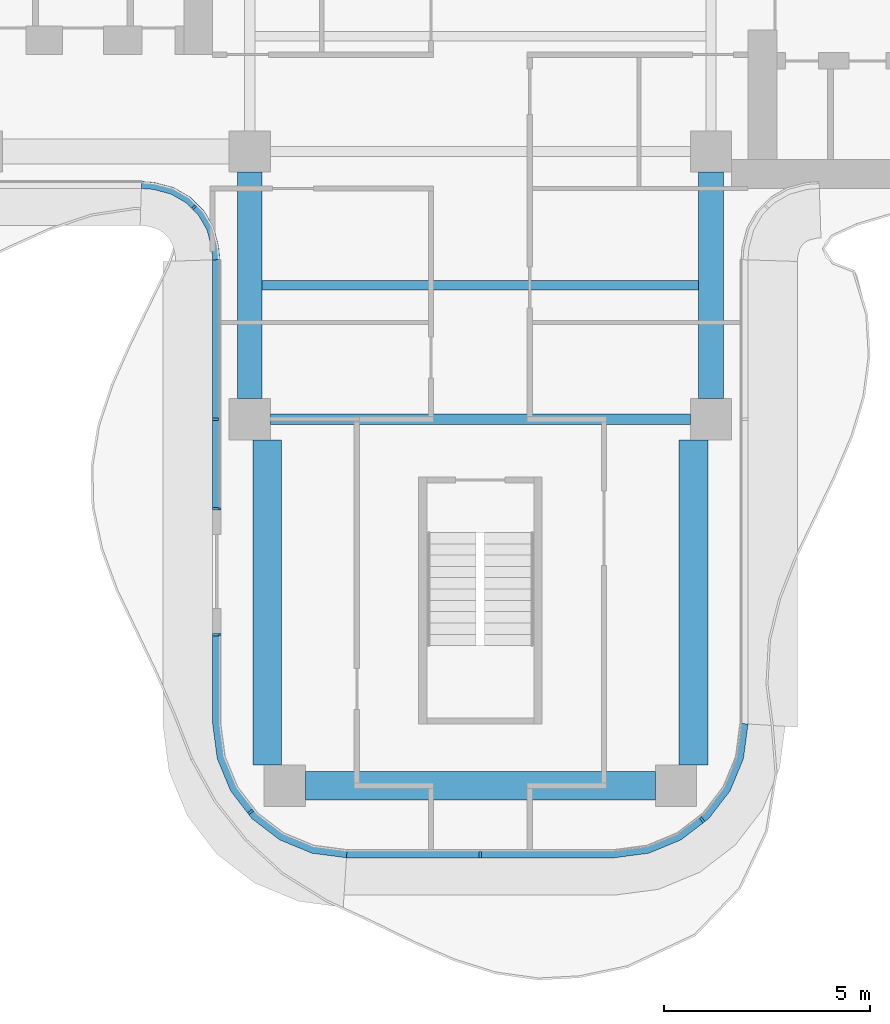
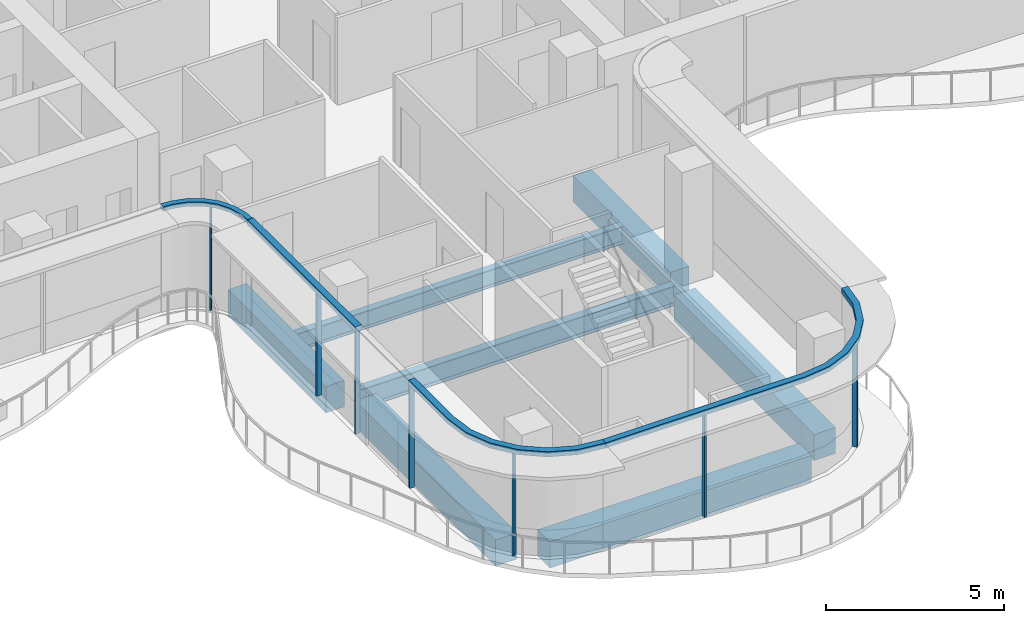
# One storey, part 2 of 16: 11 members, 7 beams, 4 elements without a shape of their own.
"""IFC4 building model written with IfcOpenShell, lengths in metres."""

from ifc_helpers import new_model, si_unit, direction, frame, origin, origin_2d, place, context, subcontext, project, spatial, polyline, rectangle, i_section, outline, extrude, source, transform, mapped, material, layer, layer_set, material_profile, profile_set, type_object, element, aggregate, save


model = new_model("IFC4")

# Units and contexts
model_context = context("Model", 3, precision=1e-05, world=origin(), true_north=direction((0.0, 1.0)))
body_context = subcontext(model_context, "Body", "Model", "MODEL_VIEW")
ifc_project = project(units=[si_unit("LENGTHUNIT", "METRE"), si_unit("AREAUNIT", "SQUARE_METRE"), si_unit("VOLUMEUNIT", "CUBIC_METRE"), si_unit("PLANEANGLEUNIT", "RADIAN"), si_unit("MASSUNIT", "GRAM", prefix="KILO")], contexts=[model_context])

# Site, building, storey
site_placement = place(None, origin())
site = spatial("IfcSite", under=ifc_project, at=site_placement, CompositionType="ELEMENT")
building_placement = place(site_placement, origin())
building = spatial("IfcBuilding", under=site, at=building_placement, Name="Trellis Farm Tower", CompositionType="ELEMENT")
storey_placement = place(building_placement, frame((0.0, 0.0, 310.60009765625)))
storey = spatial("IfcBuildingStorey", under=building, at=storey_placement, Name="L70", CompositionType="ELEMENT", Elevation=310.60009765625)

# Beams
ifc_material_1 = material(Name="Steel S355", Category="steel")
ifc_material_profile_1 = material_profile(ifc_material_1, i_section(OverallWidth=0.22900390625, OverallDepth=0.6123046875, WebThickness=0.011962890625, FlangeThickness=0.01953125, FilletRadius=0.0126953125, at=origin_2d()), Name="UB 610x229x125")
ifc_profile_set_1 = profile_set([ifc_material_profile_1], Name="Steel S355")
beam_type_1 = type_object("IfcBeamType", Name="UB 610x229x125 joist", PredefinedType="JOIST", material=ifc_profile_set_1)
shared_shape_1 = source(origin(), body_context, "Body", "SweptSolid", [
    extrude(i_section(OverallWidth=0.22900390625, OverallDepth=0.6123046875, WebThickness=0.011962890625, FlangeThickness=0.01953125, FilletRadius=0.0126953125, at=origin_2d()), origin(), (0.0, 0.0, 1.0), 10.60009765625),
])
beam_1_placement = place(storey_placement, frame((-5.300048828125, -8.85009765625, -0.506103515625), z_axis=(1.0, 0.0, 0.0), x_axis=(0.0, 1.0, 0.0)))
element("IfcBeam", 1, at=beam_1_placement, inside=storey, type_object=beam_type_1, Name="Floor beam", PredefinedType="JOIST", context=body_context, shape_type="MappedRepresentation", body=[
    mapped(shared_shape_1, transform((0.0, 0.0, 0.0))),
])
ifc_material_profile_2 = material_profile(ifc_material_1, i_section(OverallWidth=0.253662109375, OverallDepth=0.68359375, WebThickness=0.012451171875, FlangeThickness=0.021728515625, FilletRadius=0.01513671875, at=origin_2d()), Name="UB 686x254x140")
ifc_profile_set_2 = profile_set([ifc_material_profile_2], Name="Steel S355")
beam_type_2 = type_object("IfcBeamType", Name="UB 686x254x140", PredefinedType="BEAM", material=ifc_profile_set_2)
shared_shape_2 = source(origin(), body_context, "Body", "SweptSolid", [
    extrude(i_section(OverallWidth=0.253662109375, OverallDepth=0.68359375, WebThickness=0.012451171875, FlangeThickness=0.021728515625, FilletRadius=0.01513671875, at=origin_2d()), origin(), (0.0, 0.0, 1.0), 10.2001953125),
])
beam_2_placement = place(storey_placement, frame((-5.10009765625, -12.10009765625, -0.541748046875), z_axis=(1.0, 0.0, 0.0), x_axis=(0.0, 1.0, 0.0)))
element("IfcBeam", 2, at=beam_2_placement, inside=storey, type_object=beam_type_2, Name="Girder", PredefinedType="BEAM", context=body_context, shape_type="MappedRepresentation", body=[
    mapped(shared_shape_2, transform((0.0, 0.0, 0.0))),
])
ifc_material_2 = material(Name="Concrete C60/75", Category="concrete")
ifc_material_profile_3 = material_profile(ifc_material_2, rectangle(XDim=0.60009765625, YDim=0.89990234375, at=origin_2d()), Name="RC spandrel beam 600x900 C60/75")
ifc_profile_set_3 = profile_set([ifc_material_profile_3], Name="Concrete C60/75")
beam_type_3 = type_object("IfcBeamType", Name="RC spandrel beam 600x900 C60/75", PredefinedType="SPANDREL", material=ifc_profile_set_3)
shared_shape_3 = source(origin(), body_context, "Body", "SweptSolid", [
    extrude(rectangle(XDim=0.60009765625, YDim=0.89990234375, at=origin_2d()), origin(), (0.0, 0.0, 1.0), 5.5),
])
for number, where, z_axis, x_axis, name in (
    (3, (-5.60009765625, -11.60009765625, -0.650146484375), (0.0, 1.0, 0.0), (-1.0, 0.0, 0.0), "Girder"),
    (4, (5.60009765625, -11.60009765625, -0.650146484375), (0.0, 1.0, 0.0), (-1.0, 0.0, 0.0), "Girder"),
):
    element("IfcBeam", number, at=place(storey_placement, frame(where, z_axis=z_axis, x_axis=x_axis)), inside=storey, type_object=beam_type_3, Name=name, PredefinedType="SPANDREL", context=body_context, shape_type="MappedRepresentation", body=[
        mapped(shared_shape_3, transform((0.0, 0.0, 0.0))),
    ])
ifc_material_profile_4 = material_profile(ifc_material_2, rectangle(XDim=0.699951171875, YDim=0.89990234375, at=origin_2d()), Name="RC spandrel beam 700x900 C60/75")
ifc_profile_set_4 = profile_set([ifc_material_profile_4], Name="Concrete C60/75")
beam_type_4 = type_object("IfcBeamType", Name="RC spandrel beam 700x900 C60/75", PredefinedType="SPANDREL", material=ifc_profile_set_4)
shared_shape_4 = source(origin(), body_context, "Body", "SweptSolid", [
    extrude(rectangle(XDim=0.699951171875, YDim=0.89990234375, at=origin_2d()), origin(), (0.0, 0.0, 1.0), 8.5),
])
beam_3_placement = place(storey_placement, frame((-4.25, -21.0, -0.650146484375), z_axis=(1.0, 0.0, 0.0), x_axis=(0.0, 1.0, 0.0)))
element("IfcBeam", 5, at=beam_3_placement, inside=storey, type_object=beam_type_4, Name="Girder", PredefinedType="SPANDREL", context=body_context, shape_type="MappedRepresentation", body=[
    mapped(shared_shape_4, transform((0.0, 0.0, 0.0))),
])
shared_shape_5 = source(origin(), body_context, "Body", "SweptSolid", [
    extrude(rectangle(XDim=0.699951171875, YDim=0.89990234375, at=origin_2d()), origin(), (0.0, 0.0, 1.0), 7.89990234375),
])
for number, where, z_axis, x_axis, name in (
    (6, (-5.175048828125, -20.5, -0.650146484375), (0.0, 1.0, 0.0), (-1.0, 0.0, 0.0), "Girder"),
    (7, (5.175048828125, -20.5, -0.650146484375), (0.0, 1.0, 0.0), (-1.0, 0.0, 0.0), "Girder"),
):
    element("IfcBeam", number, at=place(storey_placement, frame(where, z_axis=z_axis, x_axis=x_axis)), inside=storey, type_object=beam_type_4, Name=name, PredefinedType="SPANDREL", context=body_context, shape_type="MappedRepresentation", body=[
        mapped(shared_shape_5, transform((0.0, 0.0, 0.0))),
    ])

# Curtain wall, members
ifc_material_3 = material(Name="Aluminium and glass curtain wall", Category="aluminium")
ifc_layer_1 = layer(ifc_material_3, 0.18994140625)
ifc_layer_set_1 = layer_set([ifc_layer_1], Name="RIBBON CURTAIN WALL CW1")
curtain_wall_type_1 = type_object("IfcCurtainWallType", Name="RIBBON CURTAIN WALL CW1", PredefinedType="NOTDEFINED", material=ifc_layer_set_1)
placement_1 = place(storey_placement, origin())
curtain_wall_1 = element("IfcCurtainWall", 8, at=placement_1, inside=storey, type_object=curtain_wall_type_1, Name="CW1 002", PredefinedType="NOTDEFINED")
ifc_material_4 = material(Name="Aluminium extrusion 6063-T6", Category="aluminium")
ifc_material_profile_5 = material_profile(ifc_material_4, rectangle(XDim=0.06005859375, YDim=0.14990234375, at=origin_2d()), Name="MULLION 60x150")
ifc_profile_set_5 = profile_set([ifc_material_profile_5], Name="Aluminium extrusion 6063-T6")
member_type_1 = type_object("IfcMemberType", Name="CW1 MULLION 60x150", PredefinedType="MULLION", material=ifc_profile_set_5)
shared_shape_6 = source(origin(), body_context, "Body", "SweptSolid", [
    extrude(rectangle(XDim=0.06005859375, YDim=0.14990234375, at=origin_2d()), origin(), (0.0, 0.0, 1.0), 3.52001953125),
])
member_1_placement = place(storey_placement, frame((-6.425048828125, -12.10009765625, 0.0), z_axis=(0.0, 0.0, 1.0), x_axis=(0.0, -1.0, 0.0)))
member_1 = element("IfcMember", 9, at=member_1_placement, type_object=member_type_1, Name="MU1 002-01", PredefinedType="MULLION", context=body_context, shape_type="MappedRepresentation", body=[
    mapped(shared_shape_6, transform((0.0, 0.0, 0.0))),
])
member_2_placement = place(storey_placement, frame((-6.425048828125, -14.27001953125, 0.0), z_axis=(0.0, 0.0, 1.0), x_axis=(0.0, -1.0, 0.0)))
member_2 = element("IfcMember", 10, at=member_2_placement, type_object=member_type_1, Name="MU1 002-02", PredefinedType="MULLION", context=body_context, shape_type="MappedRepresentation", body=[
    mapped(shared_shape_6, transform((0.0, 0.0, 0.0))),
])

curtain_wall_2 = element("IfcCurtainWall", 11, at=placement_1, inside=storey, type_object=curtain_wall_type_1, Name="CW1 003", PredefinedType="NOTDEFINED")
member_3_placement = place(storey_placement, frame((-6.425048828125, -17.330078125, 0.0), z_axis=(0.0, 0.0, 1.0), x_axis=(0.0, -1.0, 0.0)))
member_3 = element("IfcMember", 12, at=member_3_placement, type_object=member_type_1, Name="MU1 003-01", PredefinedType="MULLION", context=body_context, shape_type="MappedRepresentation", body=[
    mapped(shared_shape_6, transform((0.0, 0.0, 0.0))),
])
member_4_placement = place(storey_placement, frame((-5.578369140625, -21.635498046875, 0.0), z_axis=(0.0, 0.0, 1.0), x_axis=(0.608761429009, -0.793353340291, 0.0)))
member_4 = element("IfcMember", 13, at=member_4_placement, type_object=member_type_1, Name="MU1 003-02", PredefinedType="MULLION", context=body_context, shape_type="MappedRepresentation", body=[
    mapped(shared_shape_6, transform((0.0, 0.0, 0.0))),
])

curtain_wall_3 = element("IfcCurtainWall", 14, at=placement_1, inside=storey, type_object=curtain_wall_type_1, Name="CW1 004", PredefinedType="NOTDEFINED")
member_5_placement = place(storey_placement, frame((0.0, -22.675048828125, 0.0), z_axis=(0.0, 0.0, 1.0), x_axis=(1.0, 0.0, 0.0)))
member_5 = element("IfcMember", 15, at=member_5_placement, type_object=member_type_1, Name="MU1 004-01", PredefinedType="MULLION", context=body_context, shape_type="MappedRepresentation", body=[
    mapped(shared_shape_6, transform((0.0, 0.0, 0.0))),
])
member_6_placement = place(storey_placement, frame((5.385498046875, -21.828369140625, 0.0), z_axis=(0.0, 0.0, 1.0), x_axis=(0.793353340291, 0.608761429009, 0.0)))
member_6 = element("IfcMember", 16, at=member_6_placement, type_object=member_type_1, Name="MU1 004-02", PredefinedType="MULLION", context=body_context, shape_type="MappedRepresentation", body=[
    mapped(shared_shape_6, transform((0.0, 0.0, 0.0))),
])

ifc_layer_2 = layer(ifc_material_3, 0.166015625)
ifc_layer_set_2 = layer_set([ifc_layer_2], Name="WINTER GARDEN CURTAIN WALL CW3")
curtain_wall_type_2 = type_object("IfcCurtainWallType", Name="WINTER GARDEN CURTAIN WALL CW3", PredefinedType="NOTDEFINED", material=ifc_layer_set_2)
curtain_wall_4 = element("IfcCurtainWall", 17, at=placement_1, inside=storey, type_object=curtain_wall_type_2, Name="CW3 001", PredefinedType="NOTDEFINED")
ifc_layer_3 = layer(ifc_material_4, 0.169921875)
ifc_layer_set_3 = layer_set([ifc_layer_3], Name="Aluminium extrusion 6063-T6")
member_type_2 = type_object("IfcMemberType", Name="CW3 TRANSOM 170x150", PredefinedType="USERDEFINED", material=ifc_layer_set_3)
shared_shape_7 = source(origin(), body_context, "Body", "SweptSolid", [
    extrude(outline(polyline([(-8.2314453125, -6.5), (-8.01953125, -6.513916015625), (-7.91552734375, -6.527587890625), (-7.508544921875, -6.63671875), (-7.144287109375, -6.846923828125), (-6.846923828125, -7.144287109375), (-6.63671875, -7.508544921875), (-6.527587890625, -7.91552734375), (-6.513916015625, -8.01953125), (-6.5, -8.2314453125), (-6.330078125, -8.225830078125), (-6.3447265625, -8.0029296875), (-6.360595703125, -7.88232421875), (-6.478271484375, -7.44287109375), (-6.7109375, -7.0400390625), (-7.0400390625, -6.7109375), (-7.44287109375, -6.478271484375), (-7.88232421875, -6.360595703125), (-8.0029296875, -6.3447265625), (-8.225830078125, -6.330078125), (-8.2314453125, -6.5)])), origin(), (0.0, 0.0, 1.0), 0.150146484375),
])
member_7_placement = place(storey_placement, frame((0.0, 0.0, 3.5498046875)))
member_7 = element("IfcMember", 18, at=member_7_placement, type_object=member_type_2, Name="TR3 001", ObjectType="TRANSOM", PredefinedType="USERDEFINED", context=body_context, shape_type="MappedRepresentation", body=[
    mapped(shared_shape_7, transform((0.0, 0.0, 0.0))),
])
ifc_material_profile_6 = material_profile(ifc_material_4, rectangle(XDim=0.050048828125, YDim=0.1201171875, at=origin_2d()), Name="MULLION 50x120")
ifc_profile_set_6 = profile_set([ifc_material_profile_6], Name="Aluminium extrusion 6063-T6")
member_type_3 = type_object("IfcMemberType", Name="CW3 MULLION 50x120", PredefinedType="MULLION", material=ifc_profile_set_6)
shared_shape_8 = source(origin(), body_context, "Body", "SweptSolid", [
    extrude(rectangle(XDim=0.050048828125, YDim=0.1201171875, at=origin_2d()), origin(), (0.0, 0.0, 1.0), 3.5498046875),
])
member_8_placement = place(storey_placement, frame((-6.953125, -6.953125, 0.0), z_axis=(0.0, 0.0, 1.0), x_axis=(0.707106781187, -0.707106781187, 0.0)))
member_8 = element("IfcMember", 19, at=member_8_placement, type_object=member_type_3, Name="MU3 001-01", PredefinedType="MULLION", context=body_context, shape_type="MappedRepresentation", body=[
    mapped(shared_shape_8, transform((0.0, 0.0, 0.0))),
])
aggregate(curtain_wall_4, [member_8, member_7])

# Member
ifc_layer_4 = layer(ifc_material_4, 0.199951171875)
ifc_layer_set_4 = layer_set([ifc_layer_4], Name="Aluminium extrusion 6063-T6")
member_type_4 = type_object("IfcMemberType", Name="CW1 TRANSOM 200x180", PredefinedType="USERDEFINED", material=ifc_layer_set_4)
shared_shape_9 = source(origin(), body_context, "Body", "SweptSolid", [
    extrude(outline(polyline([(-3.25, -22.75), (3.25, -22.75), (4.091064453125, -22.63916015625), (4.875, -22.314697265625), (5.548095703125, -21.798095703125), (6.064697265625, -21.125), (6.38916015625, -20.341064453125), (6.5, -19.5), (6.300048828125, -19.48681640625), (6.1943359375, -20.2890625), (5.889892578125, -21.024169921875), (5.405517578125, -21.655517578125), (4.774169921875, -22.139892578125), (4.0390625, -22.4443359375), (3.23681640625, -22.550048828125), (-3.23681640625, -22.550048828125), (-3.25, -22.75)])), origin(), (0.0, 0.0, 1.0), 0.179931640625),
])
placement_2 = place(storey_placement, frame((0.0, 0.0, 3.52001953125)))
member_9 = element("IfcMember", 20, at=placement_2, type_object=member_type_4, Name="TR1 004", ObjectType="TRANSOM", PredefinedType="USERDEFINED", context=body_context, shape_type="MappedRepresentation", body=[
    mapped(shared_shape_9, transform((0.0, 0.0, 0.0))),
])

aggregate(curtain_wall_3, [member_5, member_6, member_9])

shared_shape_10 = source(origin(), body_context, "Body", "SweptSolid", [
    extrude(outline(polyline([(-6.5, -8.2314453125), (-6.5, -14.300048828125), (-6.300048828125, -14.300048828125), (-6.300048828125, -8.224853515625), (-6.5, -8.2314453125)])), origin(), (0.0, 0.0, 1.0), 0.179931640625),
])
member_10 = element("IfcMember", 21, at=placement_2, type_object=member_type_4, Name="TR1 002", ObjectType="TRANSOM", PredefinedType="USERDEFINED", context=body_context, shape_type="MappedRepresentation", body=[
    mapped(shared_shape_10, transform((0.0, 0.0, 0.0))),
])

aggregate(curtain_wall_1, [member_1, member_2, member_10])

shared_shape_11 = source(origin(), body_context, "Body", "SweptSolid", [
    extrude(outline(polyline([(-6.5, -17.300048828125), (-6.5, -19.5), (-6.38916015625, -20.341064453125), (-6.064697265625, -21.125), (-5.548095703125, -21.798095703125), (-4.875, -22.314697265625), (-4.091064453125, -22.63916015625), (-3.25, -22.75), (-3.23681640625, -22.550048828125), (-4.0390625, -22.4443359375), (-4.774169921875, -22.139892578125), (-5.405517578125, -21.655517578125), (-5.889892578125, -21.024169921875), (-6.1943359375, -20.2890625), (-6.300048828125, -19.48681640625), (-6.300048828125, -17.300048828125), (-6.5, -17.300048828125)])), origin(), (0.0, 0.0, 1.0), 0.179931640625),
])
member_11 = element("IfcMember", 22, at=placement_2, type_object=member_type_4, Name="TR1 003", ObjectType="TRANSOM", PredefinedType="USERDEFINED", context=body_context, shape_type="MappedRepresentation", body=[
    mapped(shared_shape_11, transform((0.0, 0.0, 0.0))),
])

aggregate(curtain_wall_2, [member_3, member_4, member_11])

save(model, "model.ifc")
